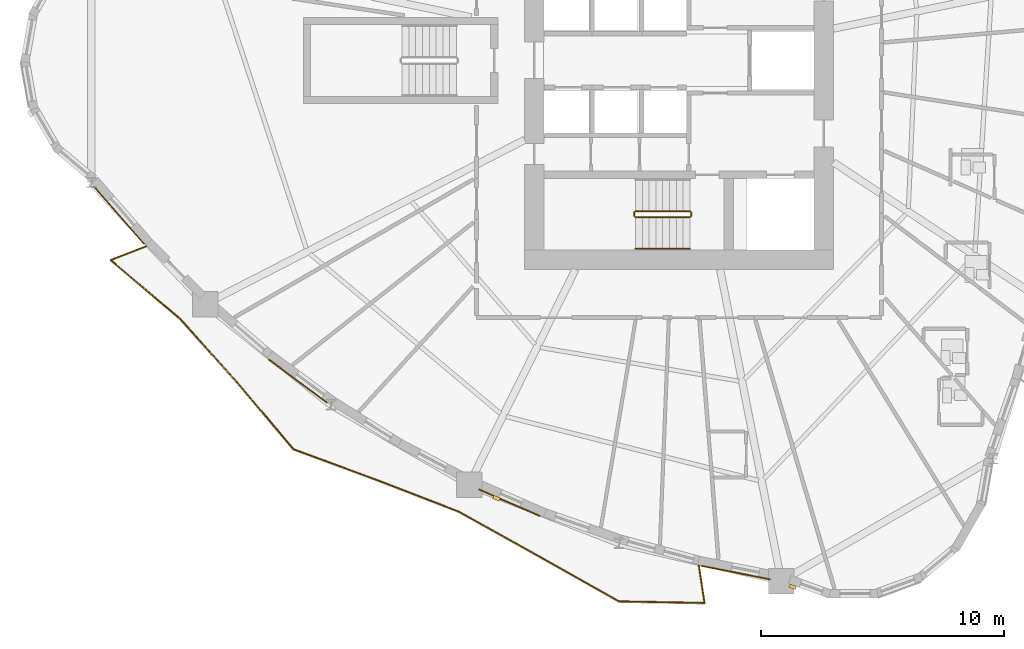
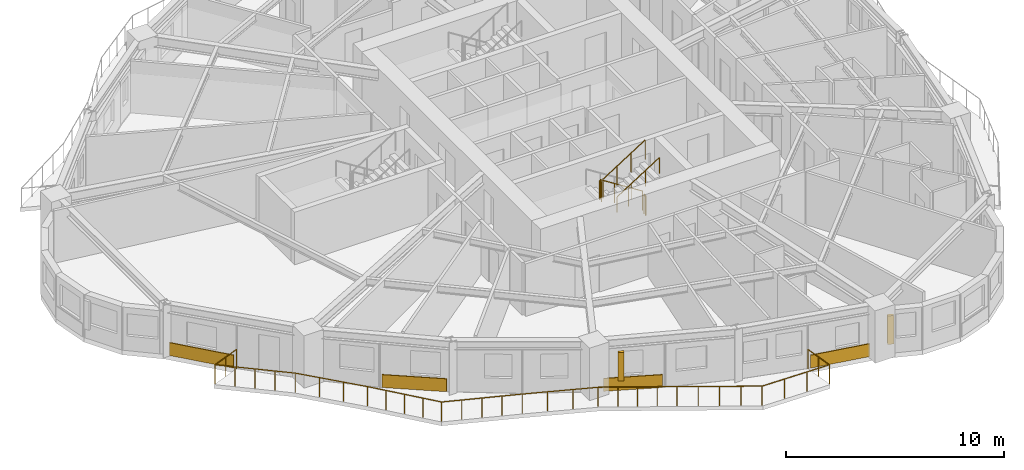
# One storey, part 10 of 13: 6 railings, 4 coverings, 2 shading devices.
"""IFC4 building model written with IfcOpenShell, lengths in metres."""

from ifc_helpers import new_model, si_unit, direction, frame, origin, origin_2d, place, context, subcontext, project, spatial, rectangle, circle, extrude, source, transform, mapped, material, layer, layer_set, type_object, element, save


model = new_model("IFC4")

# Units and contexts
model_context = context("Model", 3, precision=1e-05, world=origin(), true_north=direction((0.0, 1.0)))
body_context = subcontext(model_context, "Body", "Model", "MODEL_VIEW")
ifc_project = project(units=[si_unit("LENGTHUNIT", "METRE"), si_unit("AREAUNIT", "SQUARE_METRE"), si_unit("VOLUMEUNIT", "CUBIC_METRE"), si_unit("PLANEANGLEUNIT", "RADIAN"), si_unit("MASSUNIT", "GRAM", prefix="KILO")], contexts=[model_context])

# Site, building, storey
site_placement = place(None, origin())
site = spatial("IfcSite", under=ifc_project, at=site_placement, CompositionType="ELEMENT")
building_placement = place(site_placement, origin())
building = spatial("IfcBuilding", under=site, at=building_placement, Name="Qafzar Sky-Pleat Residences", CompositionType="ELEMENT")
storey_placement = place(building_placement, frame((0.0, 0.0, 59.0)))
storey = spatial("IfcBuildingStorey", under=building, at=storey_placement, Name="L17", CompositionType="ELEMENT", Elevation=59.0)

# Shading devices
ifc_material_1 = material(Name="Honed Riyadh limestone solar fin", Category="masonry")
ifc_layer_1 = layer(ifc_material_1, 0.139892578125)
ifc_layer_set_1 = layer_set([ifc_layer_1], Name="Honed Riyadh limestone solar fin")
shading_device_type = type_object("IfcShadingDeviceType", Name="SHD-FIN-STONE", PredefinedType="SHUTTER", material=ifc_layer_set_1)
shared_shape_1 = source(origin(), body_context, "Body", "SweptSolid", [
    extrude(rectangle(XDim=0.139892578125, YDim=0.280029296875, at=origin_2d()), origin(), (0.0, 0.0, 1.0), 1.60009765625),
])
for number, where, z_axis, x_axis, name in (
    (1, (22.841064453125, 7.992919921875, 0.599853515625), (0.0, 0.0, 1.0), (-0.398680668502, -0.917089812703, 0.0), "L17 Limestone Solar Fin 13"),
    (2, (35.025390625, 4.349853515625, 0.599853515625), (0.0, 0.0, 1.0), (-0.342010122116, -0.939696268148, 0.0), "L17 Limestone Solar Fin 17"),
):
    element("IfcShadingDevice", number, at=place(storey_placement, frame(where, z_axis=z_axis, x_axis=x_axis)), inside=storey, type_object=shading_device_type, Name=name, PredefinedType="SHUTTER", context=body_context, shape_type="MappedRepresentation", body=[
        mapped(shared_shape_1, transform((0.0, 0.0, 0.0), x_axis=(1.0, 0.0, 0.0), y_axis=(0.0, 1.0, 0.0), z_axis=(0.0, 0.0, 1.0), scale=1.0)),
    ])

# Railing
ifc_material_2 = material(Name="Laminated glass and bronze steel balustrade", Category="steel")
railing_type_1 = type_object("IfcRailingType", Name="RAIL-BAL-1100", PredefinedType="BALUSTRADE", material=ifc_material_2)
shared_shape_2 = source(origin(), body_context, "Body", "SweptSolid", [
    extrude(circle(Radius=0.02392578125, at=origin_2d()), frame((0.0, 0.0, 1.076171875), z_axis=(-0.931486844159, -0.36377501173, 0.0), x_axis=(0.36377501173, -0.931486844159, 0.0)), (0.0, 0.0, 1.0), 1.577880859375),
    extrude(circle(Radius=0.02392578125, at=origin_2d()), frame((-1.4697265625, -0.573974609375, 1.076171875), z_axis=(0.763477851211, -0.645834011733, 0.0), x_axis=(0.645834011733, 0.763477851211, 0.0)), (0.0, 0.0, 1.0), 3.74169921875),
    extrude(circle(Radius=0.02392578125, at=origin_2d()), frame((1.386962890625, -2.990478515625, 1.076171875), z_axis=(0.66855898606, -0.743659116907, 0.0), x_axis=(0.743659116907, 0.66855898606, 0.0)), (0.0, 0.0, 1.0), 3.491455078125),
    extrude(circle(Radius=0.02392578125, at=origin_2d()), frame((3.72119140625, -5.5869140625, 1.076171875), z_axis=(0.643786707783, -0.765204988798, 0.0), x_axis=(0.765204988798, 0.643786707783, 0.0)), (0.0, 0.0, 1.0), 3.619384765625),
    extrude(circle(Radius=0.02392578125, at=origin_2d()), frame((6.05126953125, -8.3564453125, 1.076171875), z_axis=(0.938365316755, -0.345645095889, 0.0), x_axis=(0.345645095889, 0.938365316755, 0.0)), (0.0, 0.0, 1.0), 3.7548828125),
    extrude(circle(Radius=0.02392578125, at=origin_2d()), frame((9.57470703125, -9.654296875, 1.076171875), z_axis=(0.932655934643, -0.360767109886, 0.0), x_axis=(0.360767109886, 0.932655934643, 0.0)), (0.0, 0.0, 1.0), 3.530517578125),
    extrude(circle(Radius=0.02392578125, at=origin_2d()), frame((12.867431640625, -10.927978515625, 1.076171875), z_axis=(0.873161609414, -0.487430819548, 0.0), x_axis=(0.487430819548, 0.873161609414, 0.0)), (0.0, 0.0, 1.0), 3.615234375),
    extrude(circle(Radius=0.02392578125, at=origin_2d()), frame((16.024169921875, -12.690185546875, 1.076171875), z_axis=(0.870966832131, -0.491341813127, 0.0), x_axis=(0.491341813127, 0.870966832131, 0.0)), (0.0, 0.0, 1.0), 3.9140625),
    extrude(circle(Radius=0.02392578125, at=origin_2d()), frame((19.43310546875, -14.61328125, 1.076171875), z_axis=(0.999826768842, -0.018612692098, 0.0), x_axis=(0.018612692098, 0.999826768842, 0.0)), (0.0, 0.0, 1.0), 3.528564453125),
    extrude(circle(Radius=0.02392578125, at=origin_2d()), frame((22.9609375, -14.678955078125, 1.076171875), z_axis=(-0.150708286598, 0.988578278312, 0.0), x_axis=(-0.988578278312, -0.150708286598, 0.0)), (0.0, 0.0, 1.0), 1.577880859375),
    extrude(circle(Radius=0.02099609375, at=origin_2d()), origin(), (0.0, 0.0, 1.0), 1.052001953125),
    extrude(circle(Radius=0.02099609375, at=origin_2d()), frame((-0.73486328125, -0.287109375, 0.0)), (0.0, 0.0, 1.0), 1.052001953125),
    extrude(circle(Radius=0.02099609375, at=origin_2d()), frame((-1.4697265625, -0.573974609375, 0.0)), (0.0, 0.0, 1.0), 1.052001953125),
    extrude(circle(Radius=0.02099609375, at=origin_2d()), frame((-0.755615234375, -1.17822265625, 0.0)), (0.0, 0.0, 1.0), 1.052001953125),
    extrude(circle(Radius=0.02099609375, at=origin_2d()), frame((-0.04150390625, -1.7822265625, 0.0)), (0.0, 0.0, 1.0), 1.052001953125),
    extrude(circle(Radius=0.02099609375, at=origin_2d()), frame((0.6728515625, -2.38623046875, 0.0)), (0.0, 0.0, 1.0), 1.052001953125),
    extrude(circle(Radius=0.02099609375, at=origin_2d()), frame((1.386962890625, -2.990478515625, 0.0)), (0.0, 0.0, 1.0), 1.052001953125),
    extrude(circle(Radius=0.02099609375, at=origin_2d()), frame((2.1650390625, -3.85595703125, 0.0)), (0.0, 0.0, 1.0), 1.052001953125),
    extrude(circle(Radius=0.02099609375, at=origin_2d()), frame((2.943115234375, -4.721435546875, 0.0)), (0.0, 0.0, 1.0), 1.052001953125),
    extrude(circle(Radius=0.02099609375, at=origin_2d()), frame((3.72119140625, -5.5869140625, 0.0)), (0.0, 0.0, 1.0), 1.052001953125),
    extrude(circle(Radius=0.02099609375, at=origin_2d()), frame((4.3037109375, -6.279296875, 0.0)), (0.0, 0.0, 1.0), 1.052001953125),
    extrude(circle(Radius=0.02099609375, at=origin_2d()), frame((4.88623046875, -6.9716796875, 0.0)), (0.0, 0.0, 1.0), 1.052001953125),
    extrude(circle(Radius=0.02099609375, at=origin_2d()), frame((5.46875, -7.6640625, 0.0)), (0.0, 0.0, 1.0), 1.052001953125),
    extrude(circle(Radius=0.02099609375, at=origin_2d()), frame((6.05126953125, -8.3564453125, 0.0)), (0.0, 0.0, 1.0), 1.052001953125),
    extrude(circle(Radius=0.02099609375, at=origin_2d()), frame((6.93212890625, -8.680908203125, 0.0)), (0.0, 0.0, 1.0), 1.052001953125),
    extrude(circle(Radius=0.02099609375, at=origin_2d()), frame((7.81298828125, -9.00537109375, 0.0)), (0.0, 0.0, 1.0), 1.052001953125),
    extrude(circle(Radius=0.02099609375, at=origin_2d()), frame((8.69384765625, -9.329833984375, 0.0)), (0.0, 0.0, 1.0), 1.052001953125),
    extrude(circle(Radius=0.02099609375, at=origin_2d()), frame((9.57470703125, -9.654296875, 0.0)), (0.0, 0.0, 1.0), 1.052001953125),
    extrude(circle(Radius=0.02099609375, at=origin_2d()), frame((10.67236328125, -10.078857421875, 0.0)), (0.0, 0.0, 1.0), 1.052001953125),
    extrude(circle(Radius=0.02099609375, at=origin_2d()), frame((11.769775390625, -10.50341796875, 0.0)), (0.0, 0.0, 1.0), 1.052001953125),
    extrude(circle(Radius=0.02099609375, at=origin_2d()), frame((12.867431640625, -10.927978515625, 0.0)), (0.0, 0.0, 1.0), 1.052001953125),
    extrude(circle(Radius=0.02099609375, at=origin_2d()), frame((13.65673828125, -11.36865234375, 0.0)), (0.0, 0.0, 1.0), 1.052001953125),
    extrude(circle(Radius=0.02099609375, at=origin_2d()), frame((14.44580078125, -11.80908203125, 0.0)), (0.0, 0.0, 1.0), 1.052001953125),
    extrude(circle(Radius=0.02099609375, at=origin_2d()), frame((15.23486328125, -12.24951171875, 0.0)), (0.0, 0.0, 1.0), 1.052001953125),
    extrude(circle(Radius=0.02099609375, at=origin_2d()), frame((16.024169921875, -12.690185546875, 0.0)), (0.0, 0.0, 1.0), 1.052001953125),
    extrude(circle(Radius=0.02099609375, at=origin_2d()), frame((16.87646484375, -13.1708984375, 0.0)), (0.0, 0.0, 1.0), 1.052001953125),
    extrude(circle(Radius=0.02099609375, at=origin_2d()), frame((17.728515625, -13.65185546875, 0.0)), (0.0, 0.0, 1.0), 1.052001953125),
    extrude(circle(Radius=0.02099609375, at=origin_2d()), frame((18.580810546875, -14.132568359375, 0.0)), (0.0, 0.0, 1.0), 1.052001953125),
    extrude(circle(Radius=0.02099609375, at=origin_2d()), frame((19.43310546875, -14.61328125, 0.0)), (0.0, 0.0, 1.0), 1.052001953125),
    extrude(circle(Radius=0.02099609375, at=origin_2d()), frame((20.609130859375, -14.63525390625, 0.0)), (0.0, 0.0, 1.0), 1.052001953125),
    extrude(circle(Radius=0.02099609375, at=origin_2d()), frame((21.784912109375, -14.656982421875, 0.0)), (0.0, 0.0, 1.0), 1.052001953125),
    extrude(circle(Radius=0.02099609375, at=origin_2d()), frame((22.9609375, -14.678955078125, 0.0)), (0.0, 0.0, 1.0), 1.052001953125),
    extrude(circle(Radius=0.02099609375, at=origin_2d()), frame((22.842041015625, -13.89892578125, 0.0)), (0.0, 0.0, 1.0), 1.052001953125),
    extrude(circle(Radius=0.02099609375, at=origin_2d()), frame((22.72314453125, -13.119140625, 0.0)), (0.0, 0.0, 1.0), 1.052001953125),
])
railing_1_placement = place(storey_placement, frame((8.44189453125, 18.36279296875, 0.0)))
element("IfcRailing", 3, at=railing_1_placement, inside=storey, type_object=railing_type_1, Name="L17 Pleated Balcony 3 Balustrade", PredefinedType="BALUSTRADE", context=body_context, shape_type="MappedRepresentation", body=[
    mapped(shared_shape_2, transform((0.0, 0.0, 0.0), x_axis=(1.0, 0.0, 0.0), y_axis=(0.0, 1.0, 0.0), z_axis=(0.0, 0.0, 1.0), scale=1.0)),
])

# Coverings
ifc_material_3 = material(Name="Honed Riyadh Tuwaiq limestone cladding", Category="masonry")
ifc_layer_2 = layer(ifc_material_3, 0.044921875)
ifc_layer_set_2 = layer_set([ifc_layer_2], Name="Honed Riyadh Tuwaiq limestone cladding")
covering_type = type_object("IfcCoveringType", Name="COV-CLAD-STONE", PredefinedType="CLADDING", material=ifc_layer_set_2)
shared_shape_3 = source(origin(), body_context, "Body", "SweptSolid", [
    extrude(rectangle(XDim=3.134033203125, YDim=0.044921875, at=origin_2d()), origin(), (0.0, 0.0, 1.0), 0.719970703125),
])
covering_1_placement = place(storey_placement, frame((7.316650390625, 19.635986328125, 0.02001953125), z_axis=(0.0, 0.0, 1.0), x_axis=(0.65761367339, -0.753355332211, 0.0)))
element("IfcCovering", 4, at=covering_1_placement, inside=storey, type_object=covering_type, Name="L17 Riyadh Limestone Spandrel Cladding 7", PredefinedType="CLADDING", context=body_context, shape_type="MappedRepresentation", body=[
    mapped(shared_shape_3, transform((0.0, 0.0, 0.0), x_axis=(1.0, 0.0, 0.0), y_axis=(0.0, 1.0, 0.0), z_axis=(0.0, 0.0, 1.0), scale=1.0)),
])
shared_shape_4 = source(origin(), body_context, "Body", "SweptSolid", [
    extrude(rectangle(XDim=2.9853515625, YDim=0.044921875, at=origin_2d()), origin(), (0.0, 0.0, 1.0), 0.719970703125),
])
covering_2_placement = place(storey_placement, frame((14.673095703125, 12.813232421875, 0.02001953125), z_axis=(0.0, 0.0, 1.0), x_axis=(0.803807590053, -0.594889366331, 0.0)))
element("IfcCovering", 5, at=covering_2_placement, inside=storey, type_object=covering_type, Name="L17 Riyadh Limestone Spandrel Cladding 10", PredefinedType="CLADDING", context=body_context, shape_type="MappedRepresentation", body=[
    mapped(shared_shape_4, transform((0.0, 0.0, 0.0), x_axis=(1.0, 0.0, 0.0), y_axis=(0.0, 1.0, 0.0), z_axis=(0.0, 0.0, 1.0), scale=1.0)),
])
shared_shape_5 = source(origin(), body_context, "Body", "SweptSolid", [
    extrude(rectangle(XDim=2.7333984375, YDim=0.044921875, at=origin_2d()), origin(), (0.0, 0.0, 1.0), 0.719970703125),
])
covering_3_placement = place(storey_placement, frame((23.371826171875, 7.80908203125, 0.02001953125), z_axis=(0.0, 0.0, 1.0), x_axis=(0.917082095474, -0.398698420064, 0.0)))
element("IfcCovering", 6, at=covering_3_placement, inside=storey, type_object=covering_type, Name="L17 Riyadh Limestone Spandrel Cladding 13", PredefinedType="CLADDING", context=body_context, shape_type="MappedRepresentation", body=[
    mapped(shared_shape_5, transform((0.0, 0.0, 0.0), x_axis=(1.0, 0.0, 0.0), y_axis=(0.0, 1.0, 0.0), z_axis=(0.0, 0.0, 1.0), scale=1.0)),
])
shared_shape_6 = source(origin(), body_context, "Body", "SweptSolid", [
    extrude(rectangle(XDim=2.882080078125, YDim=0.044921875, at=origin_2d()), origin(), (0.0, 0.0, 1.0), 0.719970703125),
])
covering_4_placement = place(storey_placement, frame((32.69287109375, 4.9326171875, 0.02001953125), z_axis=(0.0, 0.0, 1.0), x_axis=(0.981232153212, -0.192830136397, 0.0)))
element("IfcCovering", 7, at=covering_4_placement, inside=storey, type_object=covering_type, Name="L17 Riyadh Limestone Spandrel Cladding 16", PredefinedType="CLADDING", context=body_context, shape_type="MappedRepresentation", body=[
    mapped(shared_shape_6, transform((0.0, 0.0, 0.0), x_axis=(1.0, 0.0, 0.0), y_axis=(0.0, 1.0, 0.0), z_axis=(0.0, 0.0, 1.0), scale=1.0)),
])

# Railings
ifc_material_4 = material(Name="Painted Steel S355 stair guardrail", Category="steel")
railing_type_2 = type_object("IfcRailingType", Name="RAIL-STAIR-GUARD", PredefinedType="GUARDRAIL", material=ifc_material_4)
shared_shape_7 = source(origin(), body_context, "Body", "SweptSolid", [
    extrude(circle(Radius=0.02392578125, at=origin_2d()), frame((0.0, 0.0, 1.076171875), z_axis=(0.0, -1.0, 0.0), x_axis=(1.0, 0.0, 0.0)), (0.0, 0.0, 1.0), 0.14990234375),
    extrude(circle(Radius=0.02099609375, at=origin_2d()), origin(), (0.0, 0.0, 1.0), 1.052001953125),
    extrude(circle(Radius=0.02099609375, at=origin_2d()), frame((0.0, -0.14990234375, 0.0)), (0.0, 0.0, 1.0), 1.052001953125),
])
for number, where, name in (
    (8, (28.510009765625, 19.75, 1.60009765625), "L17 ST1 stair guard 2"),
    (9, (30.85009765625, 19.75, 0.0), "L17 ST1 stair guard 4"),
):
    element("IfcRailing", number, at=place(storey_placement, frame(where)), inside=storey, type_object=railing_type_2, Name=name, PredefinedType="GUARDRAIL", context=body_context, shape_type="MappedRepresentation", body=[
        mapped(shared_shape_7, transform((0.0, 0.0, 0.0), x_axis=(1.0, 0.0, 0.0), y_axis=(0.0, 1.0, 0.0), z_axis=(0.0, 0.0, 1.0), scale=1.0)),
    ])
shared_shape_8 = source(origin(), body_context, "Body", "SweptSolid", [
    extrude(circle(Radius=0.02392578125, at=origin_2d()), frame((0.0, 0.0, 1.076171875), z_axis=(0.8442293374, 0.0, 0.53598211339), x_axis=(0.0, 1.0, 0.0)), (0.0, 0.0, 1.0), 2.6533203125),
    extrude(circle(Radius=0.02099609375, at=origin_2d()), origin(), (0.0, 0.0, 1.0), 1.052001953125),
    extrude(circle(Radius=0.02099609375, at=origin_2d()), frame((0.74658203125, 0.0, 0.47412109375)), (0.0, 0.0, 1.0), 1.052001953125),
    extrude(circle(Radius=0.02099609375, at=origin_2d()), frame((1.493408203125, 0.0, 0.947998046875)), (0.0, 0.0, 1.0), 1.052001953125),
    extrude(circle(Radius=0.02099609375, at=origin_2d()), frame((2.239990234375, 0.0, 1.422119140625)), (0.0, 0.0, 1.0), 1.052001953125),
])
railing_2_placement = place(storey_placement, frame((28.56005859375, 19.550048828125, 1.77783203125)))
element("IfcRailing", 10, at=railing_2_placement, inside=storey, type_object=railing_type_2, Name="L17 ST1 stair guard 3", PredefinedType="GUARDRAIL", context=body_context, shape_type="MappedRepresentation", body=[
    mapped(shared_shape_8, transform((0.0, 0.0, 0.0), x_axis=(1.0, 0.0, 0.0), y_axis=(0.0, 1.0, 0.0), z_axis=(0.0, 0.0, 1.0), scale=1.0)),
])
ifc_material_5 = material(Name="Brushed stainless steel handrail", Category="steel")
railing_type_3 = type_object("IfcRailingType", Name="RAIL-STAIR-HAND", PredefinedType="HANDRAIL", material=ifc_material_5)
shared_shape_9 = source(origin(), body_context, "Body", "SweptSolid", [
    extrude(circle(Radius=0.02392578125, at=origin_2d()), frame((0.0, 0.0, 0.8759765625), z_axis=(0.8442293374, 0.0, 0.53598211339), x_axis=(0.0, 1.0, 0.0)), (0.0, 0.0, 1.0), 2.6533203125),
    extrude(circle(Radius=0.02099609375, at=origin_2d()), origin(), (0.0, 0.0, 1.0), 0.851806640625),
    extrude(circle(Radius=0.02099609375, at=origin_2d()), frame((0.74658203125, 0.0, 0.47412109375)), (0.0, 0.0, 1.0), 0.851806640625),
    extrude(circle(Radius=0.02099609375, at=origin_2d()), frame((1.493408203125, 0.0, 0.947998046875)), (0.0, 0.0, 1.0), 0.851806640625),
    extrude(circle(Radius=0.02099609375, at=origin_2d()), frame((2.239990234375, 0.0, 1.422119140625)), (0.0, 0.0, 1.0), 0.851806640625),
])
railing_3_placement = place(storey_placement, frame((28.56005859375, 18.25, 1.77783203125)))
element("IfcRailing", 11, at=railing_3_placement, inside=storey, type_object=railing_type_3, Name="L17 ST1 stair handrail 2", PredefinedType="HANDRAIL", context=body_context, shape_type="MappedRepresentation", body=[
    mapped(shared_shape_9, transform((0.0, 0.0, 0.0), x_axis=(1.0, 0.0, 0.0), y_axis=(0.0, 1.0, 0.0), z_axis=(0.0, 0.0, 1.0), scale=1.0)),
])
shared_shape_10 = source(origin(), body_context, "Body", "SweptSolid", [
    extrude(circle(Radius=0.02392578125, at=origin_2d()), frame((0.0, 0.0, 1.076171875), z_axis=(-0.84418770128, 0.0, 0.536047689118), x_axis=(0.0, -1.0, 0.0)), (0.0, 0.0, 1.0), 2.6533203125),
    extrude(circle(Radius=0.02099609375, at=origin_2d()), origin(), (0.0, 0.0, 1.0), 1.052001953125),
    extrude(circle(Radius=0.02099609375, at=origin_2d()), frame((-0.74658203125, 0.0, 0.47412109375)), (0.0, 0.0, 1.0), 1.052001953125),
    extrude(circle(Radius=0.02099609375, at=origin_2d()), frame((-1.493408203125, 0.0, 0.9482421875)), (0.0, 0.0, 1.0), 1.052001953125),
    extrude(circle(Radius=0.02099609375, at=origin_2d()), frame((-2.239990234375, 0.0, 1.42236328125)), (0.0, 0.0, 1.0), 1.052001953125),
])
railing_4_placement = place(storey_placement, frame((30.800048828125, 19.800048828125, 0.177734375)))
element("IfcRailing", 12, at=railing_4_placement, inside=storey, type_object=railing_type_2, Name="L17 ST1 stair guard 1", PredefinedType="GUARDRAIL", context=body_context, shape_type="MappedRepresentation", body=[
    mapped(shared_shape_10, transform((0.0, 0.0, 0.0), x_axis=(1.0, 0.0, 0.0), y_axis=(0.0, 1.0, 0.0), z_axis=(0.0, 0.0, 1.0), scale=1.0)),
])

save(model, "model.ifc")
